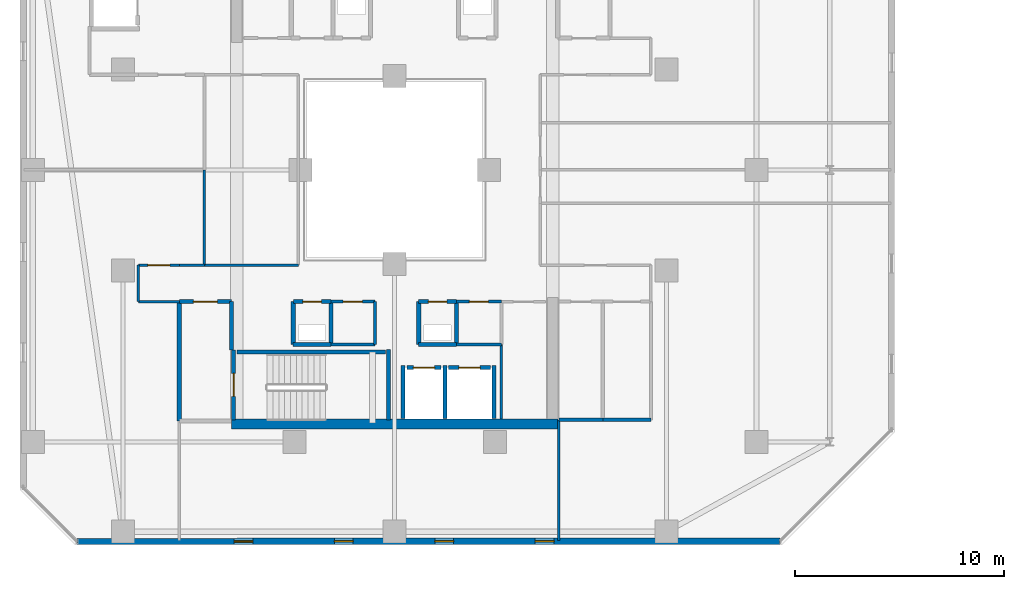
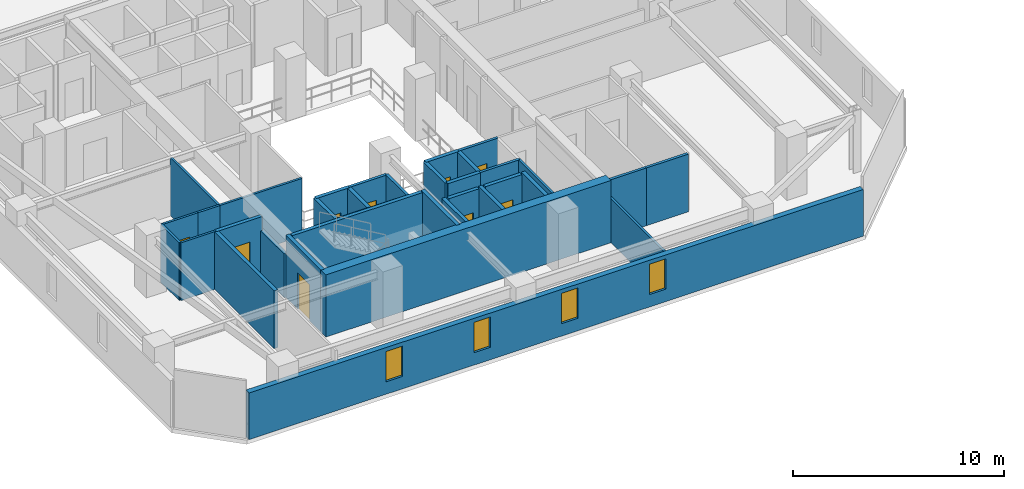
# One storey, part 19 of 33: 36 walls, 9 doors, 4 windows, 13 openings.
"""IFC4 building model written with IfcOpenShell, lengths in metres."""

from ifc_helpers import new_model, si_unit, direction, frame, frame_2d, origin, place, context, subcontext, project, spatial, rectangle, extrude, material, layer, layer_set, type_object, element, fill, save


model = new_model("IFC4")

# Units and contexts
model_context = context("Model", 3, precision=1e-05, world=origin(), true_north=direction((0.0, 1.0)))
body_context = subcontext(model_context, "Body", "Model", "MODEL_VIEW")
ifc_project = project(units=[si_unit("LENGTHUNIT", "METRE"), si_unit("AREAUNIT", "SQUARE_METRE"), si_unit("VOLUMEUNIT", "CUBIC_METRE"), si_unit("PLANEANGLEUNIT", "RADIAN"), si_unit("MASSUNIT", "GRAM", prefix="KILO")], contexts=[model_context])

# Site, building, storey
site_placement = place(None, origin())
site = spatial("IfcSite", under=ifc_project, at=site_placement, CompositionType="ELEMENT")
building_placement = place(site_placement, origin())
building = spatial("IfcBuilding", under=site, at=building_placement, Name="Thornwick Lancets Civic Towers", CompositionType="ELEMENT")
storey_placement = place(building_placement, frame((0.0, 0.0, 185.699951171875)))
storey = spatial("IfcBuildingStorey", under=building, at=storey_placement, Name="L49", CompositionType="ELEMENT", Elevation=185.699951171875)

# Wall, opening, door
ifc_material_1 = material(Name="Concrete blockwork C40/50", Category="masonry")
ifc_layer_1 = layer(ifc_material_1, 0.199951171875, Name="Concrete blockwork C40/50")
ifc_layer_set_1 = layer_set([ifc_layer_1], Name="Concrete blockwork C40/50")
wall_type_1 = type_object("IfcWallType", Name="WALL_COMP_200", PredefinedType="STANDARD", material=ifc_layer_set_1)
wall_1_placement = place(storey_placement, frame((26.080078125, 17.550048828125, 0.0), z_axis=(0.0, 0.0, 1.0), x_axis=(1.0, 0.0, 0.0)))
wall_1 = element("IfcWall", 1, at=wall_1_placement, inside=storey, type_object=wall_type_1, Name="L49 Hoistway Front Wall FL-A1", PredefinedType="STANDARD", context=body_context, shape_type="SweptSolid", body=[
    extrude(rectangle(XDim=1.639892578125, YDim=0.199951171875, at=frame_2d((0.81982421875, 0.0))), origin(), (0.0, 0.0, 1.0), 3.340087890625),
])
opening_1_placement = place(wall_1_placement, frame((0.31005859375, 0.0, 0.0)))
opening_1 = element("IfcOpeningElement", 2, at=opening_1_placement, cuts=wall_1, Name="Opening LD-FL-A1", PredefinedType="OPENING", context=body_context, shape_type="SweptSolid", body=[
    extrude(rectangle(XDim=1.02001953125, YDim=2.06005859375, at=frame_2d((0.510009765625, 1.030029296875))), frame((0.0, 0.10986328125, 0.0), z_axis=(0.0, -1.0, 0.0), x_axis=(1.0, 0.0, 0.0)), (0.0, 0.0, 1.0), 0.219970703125),
])
ifc_material_2 = material(Name="Brushed bronze stainless steel", Category="steel")
door_type_1 = type_object("IfcDoorType", Name="DOOR_LIFT_SLIDE", OperationType="SLIDING_TO_LEFT", PredefinedType="DOOR", material=ifc_material_2)
door_1_placement = place(opening_1_placement, origin())
door_1 = element("IfcDoor", 3, at=door_1_placement, inside=storey, type_object=door_type_1, Name="L49 Sliding Lift Landing Door LD-FL-A1", OperationType="SLIDING_TO_LEFT", OverallHeight=2.06005859375, OverallWidth=1.02001953125, PredefinedType="DOOR", context=body_context, shape_type="SweptSolid", body=[
    extrude(rectangle(XDim=1.02001953125, YDim=2.06005859375, at=frame_2d((0.510009765625, 1.030029296875))), frame((0.0, 0.02490234375, 0.0), z_axis=(0.0, -1.0, 0.0), x_axis=(1.0, 0.0, 0.0)), (0.0, 0.0, 1.0), 0.050048828125),
])
fill(opening_1, door_1)

wall_2_placement = place(storey_placement, frame((28.080078125, 17.550048828125, 0.0), z_axis=(0.0, 0.0, 1.0), x_axis=(1.0, 0.0, 0.0)))
wall_2 = element("IfcWall", 4, at=wall_2_placement, inside=storey, type_object=wall_type_1, Name="L49 Hoistway Front Wall PL-AH1", PredefinedType="STANDARD", context=body_context, shape_type="SweptSolid", body=[
    extrude(rectangle(XDim=1.989990234375, YDim=0.199951171875, at=frame_2d((0.9951171875, 0.0))), origin(), (0.0, 0.0, 1.0), 3.340087890625),
])
opening_2_placement = place(wall_2_placement, frame((0.485107421875, 0.0, 0.0)))
opening_2 = element("IfcOpeningElement", 5, at=opening_2_placement, cuts=wall_2, Name="Opening LD-PL-AH1", PredefinedType="OPENING", context=body_context, shape_type="SweptSolid", body=[
    extrude(rectangle(XDim=1.02001953125, YDim=2.06005859375, at=frame_2d((0.510009765625, 1.030029296875))), frame((0.0, 0.10986328125, 0.0), z_axis=(0.0, -1.0, 0.0), x_axis=(1.0, 0.0, 0.0)), (0.0, 0.0, 1.0), 0.219970703125),
])
door_2_placement = place(opening_2_placement, origin())
door_2 = element("IfcDoor", 6, at=door_2_placement, inside=storey, type_object=door_type_1, Name="L49 Sliding Lift Landing Door LD-PL-AH1", OperationType="SLIDING_TO_LEFT", OverallHeight=2.06005859375, OverallWidth=1.02001953125, PredefinedType="DOOR", context=body_context, shape_type="SweptSolid", body=[
    extrude(rectangle(XDim=1.02001953125, YDim=2.06005859375, at=frame_2d((0.510009765625, 1.030029296875))), frame((0.0, 0.02490234375, 0.0), z_axis=(0.0, -1.0, 0.0), x_axis=(1.0, 0.0, 0.0)), (0.0, 0.0, 1.0), 0.050048828125),
])
fill(opening_2, door_2)

# Walls
for number, where, z_axis, x_axis, name in (
    (7, (27.89990234375, 15.112060546875, 0.0), (0.0, 0.0, 1.0), (0.0, 1.0, 0.0), "L49 Hoistway Shaft Wall FL-A1 E"),
    (8, (25.89990234375, 15.112060546875, 0.0), (0.0, 0.0, 1.0), (0.0, 1.0, 0.0), "L49 Hoistway Shaft Wall FL-A1 W"),
    (9, (30.25, 15.112060546875, 0.0), (0.0, 0.0, 1.0), (0.0, 1.0, 0.0), "L49 Hoistway Shaft Wall PL-AH1 E"),
):
    element("IfcWall", number, at=place(storey_placement, frame(where, z_axis=z_axis, x_axis=x_axis)), inside=storey, type_object=wall_type_1, Name=name, PredefinedType="STANDARD", context=body_context, shape_type="SweptSolid", body=[
        extrude(rectangle(XDim=2.535888671875, YDim=0.199951171875, at=frame_2d((1.26806640625, 0.0))), origin(), (0.0, 0.0, 1.0), 3.340087890625),
    ])
wall_3_placement = place(storey_placement, frame((17.699951171875, 18.39990234375, 0.0), z_axis=(0.0, 0.0, 1.0), x_axis=(0.0, 1.0, 0.0)))
element("IfcWall", 10, at=wall_3_placement, inside=storey, type_object=wall_type_1, Name="L49 Partition L49-A-FFLOB1 E2", PredefinedType="STANDARD", context=body_context, shape_type="SweptSolid", body=[
    extrude(rectangle(XDim=2.300048828125, YDim=0.199951171875, at=frame_2d((1.14990234375, 0.0))), origin(), (0.0, 0.0, 1.0), 2.545166015625),
])

# Wall, opening, door
wall_4_placement = place(storey_placement, frame((17.699951171875, 20.699951171875, 0.0), z_axis=(0.0, 0.0, 1.0), x_axis=(-1.0, 0.0, 0.0)))
wall_4 = element("IfcWall", 11, at=wall_4_placement, inside=storey, type_object=wall_type_1, Name="L49 Partition L49-A-FFLOB1 E3", PredefinedType="STANDARD", context=body_context, shape_type="SweptSolid", body=[
    extrude(rectangle(XDim=2.5, YDim=0.199951171875, at=frame_2d((1.25, 0.0))), origin(), (0.0, 0.0, 1.0), 3.340087890625),
])
opening_3_placement = place(wall_4_placement, frame((0.675048828125, 0.0, 0.0)))
opening_3 = element("IfcOpeningElement", 12, at=opening_3_placement, cuts=wall_4, Name="Opening D-L49-2161", PredefinedType="OPENING", context=body_context, shape_type="SweptSolid", body=[
    extrude(rectangle(XDim=1.14990234375, YDim=2.10009765625, at=frame_2d((0.574951171875, 1.050048828125))), frame((0.0, 0.10986328125, 0.0), z_axis=(0.0, -1.0, 0.0), x_axis=(1.0, 0.0, 0.0)), (0.0, 0.0, 1.0), 0.219970703125),
])
ifc_material_3 = material(Name="Glazed fire-resisting steel", Category="steel")
door_type_2 = type_object("IfcDoorType", Name="DOOR_LOBBY_FD60", OperationType="NOTDEFINED", PredefinedType="DOOR", material=ifc_material_3)
door_3_placement = place(opening_3_placement, origin())
door_3 = element("IfcDoor", 13, at=door_3_placement, inside=storey, type_object=door_type_2, Name="L49 South Firefighting Lobby 1 Door", OperationType="SINGLE_SWING_RIGHT", OverallHeight=2.10009765625, OverallWidth=1.14990234375, PredefinedType="DOOR", context=body_context, shape_type="SweptSolid", body=[
    extrude(rectangle(XDim=1.14990234375, YDim=2.10009765625, at=frame_2d((0.574951171875, 1.050048828125))), frame((0.0, 0.02490234375, 0.0), z_axis=(0.0, -1.0, 0.0), x_axis=(1.0, 0.0, 0.0)), (0.0, 0.0, 1.0), 0.050048828125),
])
fill(opening_3, door_3)

# Walls
wall_5_placement = place(storey_placement, frame((15.199951171875, 20.699951171875, 0.0), z_axis=(0.0, 0.0, 1.0), x_axis=(0.0, -1.0, 0.0)))
element("IfcWall", 14, at=wall_5_placement, inside=storey, type_object=wall_type_1, Name="L49 Partition L49-A-FFLOB1 E4", PredefinedType="STANDARD", context=body_context, shape_type="SweptSolid", body=[
    extrude(rectangle(XDim=5.699951171875, YDim=0.199951171875, at=frame_2d((2.85009765625, 0.0))), origin(), (0.0, 0.0, 1.0), 3.340087890625),
])
wall_6_placement = place(storey_placement, frame((26.64990234375, 18.64990234375, 0.0), z_axis=(0.0, 0.0, 1.0), x_axis=(1.0, 0.0, 0.0)))
element("IfcWall", 15, at=wall_6_placement, inside=storey, type_object=wall_type_1, Name="L49 Partition L49-A-DUCT1 E1", PredefinedType="STANDARD", context=body_context, shape_type="SweptSolid", body=[
    extrude(rectangle(XDim=1.800048828125, YDim=0.199951171875, at=frame_2d((0.89990234375, 0.0))), origin(), (0.0, 0.0, 1.0), 3.340087890625),
])
wall_7_placement = place(storey_placement, frame((28.449951171875, 18.64990234375, 0.0), z_axis=(0.0, 0.0, 1.0), x_axis=(0.0, 1.0, 0.0)))
element("IfcWall", 16, at=wall_7_placement, inside=storey, type_object=wall_type_1, Name="L49 Partition L49-A-DUCT1 E2", PredefinedType="STANDARD", context=body_context, shape_type="SweptSolid", body=[
    extrude(rectangle(XDim=2.050048828125, YDim=0.199951171875, at=frame_2d((1.02490234375, 0.0))), origin(), (0.0, 0.0, 1.0), 3.340087890625),
])

# Wall, opening, door
wall_8_placement = place(storey_placement, frame((28.449951171875, 20.699951171875, 0.0), z_axis=(0.0, 0.0, 1.0), x_axis=(-1.0, 0.0, 0.0)))
wall_8 = element("IfcWall", 17, at=wall_8_placement, inside=storey, type_object=wall_type_1, Name="L49 Partition L49-A-DUCT1 E3", PredefinedType="STANDARD", context=body_context, shape_type="SweptSolid", body=[
    extrude(rectangle(XDim=1.800048828125, YDim=0.199951171875, at=frame_2d((0.89990234375, 0.0))), origin(), (0.0, 0.0, 1.0), 3.340087890625),
])
opening_4_placement = place(wall_8_placement, frame((0.4599609375, 0.0, 0.0)))
opening_4 = element("IfcOpeningElement", 18, at=opening_4_placement, cuts=wall_8, Name="Opening D-L49-2163", PredefinedType="OPENING", context=body_context, shape_type="SweptSolid", body=[
    extrude(rectangle(XDim=0.8798828125, YDim=2.0400390625, at=frame_2d((0.43994140625, 1.02001953125))), frame((0.0, 0.10986328125, 0.0), z_axis=(0.0, -1.0, 0.0), x_axis=(1.0, 0.0, 0.0)), (0.0, 0.0, 1.0), 0.219970703125),
])
ifc_material_4 = material(Name="Steel riser access doorset", Category="steel")
door_type_3 = type_object("IfcDoorType", Name="DOOR_RISER_850", OperationType="NOTDEFINED", PredefinedType="DOOR", material=ifc_material_4)
door_4_placement = place(opening_4_placement, origin())
door_4 = element("IfcDoor", 19, at=door_4_placement, inside=storey, type_object=door_type_3, Name="L49 South Service Duct 1 Door", OperationType="SINGLE_SWING_RIGHT", OverallHeight=2.0400390625, OverallWidth=0.8798828125, PredefinedType="DOOR", context=body_context, shape_type="SweptSolid", body=[
    extrude(rectangle(XDim=0.8798828125, YDim=2.0400390625, at=frame_2d((0.43994140625, 1.02001953125))), frame((0.0, 0.02490234375, 0.0), z_axis=(0.0, -1.0, 0.0), x_axis=(1.0, 0.0, 0.0)), (0.0, 0.0, 1.0), 0.050048828125),
])
fill(opening_4, door_4)

# Walls
wall_9_placement = place(storey_placement, frame((26.64990234375, 20.699951171875, 0.0), z_axis=(0.0, 0.0, 1.0), x_axis=(0.0, -1.0, 0.0)))
element("IfcWall", 20, at=wall_9_placement, inside=storey, type_object=wall_type_1, Name="L49 Partition L49-A-DUCT1 E4", PredefinedType="STANDARD", context=body_context, shape_type="SweptSolid", body=[
    extrude(rectangle(XDim=2.050048828125, YDim=0.199951171875, at=frame_2d((1.02490234375, 0.0))), origin(), (0.0, 0.0, 1.0), 3.340087890625),
])
wall_10_placement = place(storey_placement, frame((20.64990234375, 18.64990234375, 0.0), z_axis=(0.0, 0.0, 1.0), x_axis=(1.0, 0.0, 0.0)))
element("IfcWall", 21, at=wall_10_placement, inside=storey, type_object=wall_type_1, Name="L49 Partition L49-A-RISER1 E1", PredefinedType="STANDARD", context=body_context, shape_type="SweptSolid", body=[
    extrude(rectangle(XDim=1.800048828125, YDim=0.199951171875, at=frame_2d((0.89990234375, 0.0))), origin(), (0.0, 0.0, 1.0), 3.340087890625),
])
wall_11_placement = place(storey_placement, frame((22.449951171875, 18.64990234375, 0.0), z_axis=(0.0, 0.0, 1.0), x_axis=(0.0, 1.0, 0.0)))
element("IfcWall", 22, at=wall_11_placement, inside=storey, type_object=wall_type_1, Name="L49 Partition L49-A-RISER1 E2", PredefinedType="STANDARD", context=body_context, shape_type="SweptSolid", body=[
    extrude(rectangle(XDim=2.050048828125, YDim=0.199951171875, at=frame_2d((1.02490234375, 0.0))), origin(), (0.0, 0.0, 1.0), 3.340087890625),
])

# Wall, opening, door
wall_12_placement = place(storey_placement, frame((22.449951171875, 20.699951171875, 0.0), z_axis=(0.0, 0.0, 1.0), x_axis=(-1.0, 0.0, 0.0)))
wall_12 = element("IfcWall", 23, at=wall_12_placement, inside=storey, type_object=wall_type_1, Name="L49 Partition L49-A-RISER1 E3", PredefinedType="STANDARD", context=body_context, shape_type="SweptSolid", body=[
    extrude(rectangle(XDim=1.800048828125, YDim=0.199951171875, at=frame_2d((0.89990234375, 0.0))), origin(), (0.0, 0.0, 1.0), 3.340087890625),
])
opening_5_placement = place(wall_12_placement, frame((0.4599609375, 0.0, 0.0)))
opening_5 = element("IfcOpeningElement", 24, at=opening_5_placement, cuts=wall_12, Name="Opening D-L49-2164", PredefinedType="OPENING", context=body_context, shape_type="SweptSolid", body=[
    extrude(rectangle(XDim=0.8798828125, YDim=2.0400390625, at=frame_2d((0.43994140625, 1.02001953125))), frame((0.0, 0.10986328125, 0.0), z_axis=(0.0, -1.0, 0.0), x_axis=(1.0, 0.0, 0.0)), (0.0, 0.0, 1.0), 0.219970703125),
])
door_5_placement = place(opening_5_placement, origin())
door_5 = element("IfcDoor", 25, at=door_5_placement, inside=storey, type_object=door_type_3, Name="L49 South Electrical Riser 1 Door", OperationType="SINGLE_SWING_LEFT", OverallHeight=2.0400390625, OverallWidth=0.8798828125, PredefinedType="DOOR", context=body_context, shape_type="SweptSolid", body=[
    extrude(rectangle(XDim=0.8798828125, YDim=2.0400390625, at=frame_2d((0.43994140625, 1.02001953125))), frame((0.0, 0.02490234375, 0.0), z_axis=(0.0, -1.0, 0.0), x_axis=(1.0, 0.0, 0.0)), (0.0, 0.0, 1.0), 0.050048828125),
])
fill(opening_5, door_5)

# Walls
wall_13_placement = place(storey_placement, frame((20.64990234375, 20.699951171875, 0.0), z_axis=(0.0, 0.0, 1.0), x_axis=(0.0, -1.0, 0.0)))
element("IfcWall", 26, at=wall_13_placement, inside=storey, type_object=wall_type_1, Name="L49 Partition L49-A-RISER1 E4", PredefinedType="STANDARD", context=body_context, shape_type="SweptSolid", body=[
    extrude(rectangle(XDim=2.050048828125, YDim=0.199951171875, at=frame_2d((1.02490234375, 0.0))), origin(), (0.0, 0.0, 1.0), 3.340087890625),
])
ifc_material_5 = material(Name="Concrete C50/60", Category="concrete")
ifc_layer_2 = layer(ifc_material_5, 0.5, Name="Concrete C50/60")
ifc_layer_set_2 = layer_set([ifc_layer_2], Name="Concrete C50/60")
wall_type_2 = type_object("IfcWallType", Name="WALL_CORE_500", PredefinedType="SHEAR", material=ifc_layer_set_2)
wall_14_placement = place(storey_placement, frame((17.699951171875, 14.85009765625, 0.0), z_axis=(0.0, 0.0, 1.0), x_axis=(1.0, 0.0, 0.0)))
element("IfcWall", 27, at=wall_14_placement, inside=storey, type_object=wall_type_2, Name="L49 Split Core A1 Shear Wall S", PredefinedType="SHEAR", context=body_context, shape_type="SweptSolid", body=[
    extrude(rectangle(XDim=15.60009765625, YDim=0.5, at=frame_2d((7.800048828125, 0.0))), origin(), (0.0, 0.0, 1.0), 3.60009765625),
])

# Wall, openings, windows
ifc_material_6 = material(Name="Insulated russet terracotta rainscreen on concrete C40/50", Category="masonry")
ifc_layer_3 = layer(ifc_material_6, 0.300048828125, Name="Insulated russet terracotta rainscreen on concrete C40/50")
ifc_layer_set_3 = layer_set([ifc_layer_3], Name="Insulated russet terracotta rainscreen on concrete C40/50")
wall_type_3 = type_object("IfcWallType", Name="WALL_EXT_RUSSET_300", PredefinedType="STANDARD", material=ifc_layer_set_3)
wall_15_placement = place(storey_placement, frame((10.318603515625, 9.2353515625, 0.0), z_axis=(0.0, 0.0, 1.0), x_axis=(0.999999963872, 0.000268805477, 0.0)))
wall_15 = element("IfcWall", 28, at=wall_15_placement, inside=storey, type_object=wall_type_3, Name="L49 Tower A Terracotta Facade Wall E0", PredefinedType="STANDARD", context=body_context, shape_type="SweptSolid", body=[
    extrude(rectangle(XDim=33.60498046875, YDim=0.300048828125, at=frame_2d((16.802490234375, 0.0))), origin(), (0.0, 0.0, 1.0), 2.699951171875),
])
opening_6_placement = place(wall_15_placement, frame((7.5, 0.0, 0.719970703125)))
opening_6 = element("IfcOpeningElement", 29, at=opening_6_placement, cuts=wall_15, Name="Opening WL-01", PredefinedType="OPENING", context=body_context, shape_type="SweptSolid", body=[
    extrude(rectangle(XDim=0.89990234375, YDim=1.75, at=frame_2d((0.449951171875, 0.875))), frame((0.0, 0.16015625, 0.0), z_axis=(0.0, -1.0, 0.0), x_axis=(1.0, 0.0, 0.0)), (0.0, 0.0, 1.0), 0.320068359375),
])
opening_7_placement = place(wall_15_placement, frame((12.300048828125, 0.0, 0.719970703125)))
opening_7 = element("IfcOpeningElement", 30, at=opening_7_placement, cuts=wall_15, Name="Opening WL-01", PredefinedType="OPENING", context=body_context, shape_type="SweptSolid", body=[
    extrude(rectangle(XDim=0.89990234375, YDim=1.75, at=frame_2d((0.449951171875, 0.875))), frame((0.0, 0.16015625, 0.0), z_axis=(0.0, -1.0, 0.0), x_axis=(1.0, 0.0, 0.0)), (0.0, 0.0, 1.0), 0.320068359375),
])
opening_8_placement = place(wall_15_placement, frame((17.10009765625, 0.0, 0.719970703125)))
opening_8 = element("IfcOpeningElement", 31, at=opening_8_placement, cuts=wall_15, Name="Opening WL-01", PredefinedType="OPENING", context=body_context, shape_type="SweptSolid", body=[
    extrude(rectangle(XDim=0.89990234375, YDim=1.75, at=frame_2d((0.449951171875, 0.875))), frame((0.0, 0.16015625, 0.0), z_axis=(0.0, -1.0, 0.0), x_axis=(1.0, 0.0, 0.0)), (0.0, 0.0, 1.0), 0.320068359375),
])
opening_9_placement = place(wall_15_placement, frame((21.89990234375, 0.0, 0.719970703125)))
opening_9 = element("IfcOpeningElement", 32, at=opening_9_placement, cuts=wall_15, Name="Opening WL-01", PredefinedType="OPENING", context=body_context, shape_type="SweptSolid", body=[
    extrude(rectangle(XDim=0.89990234375, YDim=1.75, at=frame_2d((0.449951171875, 0.875))), frame((0.0, 0.16015625, 0.0), z_axis=(0.0, -1.0, 0.0), x_axis=(1.0, 0.0, 0.0)), (0.0, 0.0, 1.0), 0.320068359375),
])
ifc_material_7 = material(Name="Clear low-e double glazing in bronze frame", Category="glass")
window_type = type_object("IfcWindowType", Name="WIN_LANCET_900", PartitioningType="SINGLE_PANEL", PredefinedType="WINDOW", material=ifc_material_7)
window_1_placement = place(opening_6_placement, origin())
window_1 = element("IfcWindow", 33, at=window_1_placement, inside=storey, type_object=window_type, Name="L49 Tower A Staggered Lancet Window E0-1", OverallHeight=1.75, OverallWidth=0.89990234375, PartitioningType="SINGLE_PANEL", PredefinedType="WINDOW", context=body_context, shape_type="SweptSolid", body=[
    extrude(rectangle(XDim=0.89990234375, YDim=1.75, at=frame_2d((0.449951171875, 0.875))), frame((0.0, 0.030029296875, 0.0), z_axis=(0.0, -1.0, 0.0), x_axis=(1.0, 0.0, 0.0)), (0.0, 0.0, 1.0), 0.06005859375),
])
fill(opening_6, window_1)
window_2_placement = place(opening_7_placement, origin())
window_2 = element("IfcWindow", 34, at=window_2_placement, inside=storey, type_object=window_type, Name="L49 Tower A Staggered Lancet Window E0-2", OverallHeight=1.75, OverallWidth=0.89990234375, PartitioningType="SINGLE_PANEL", PredefinedType="WINDOW", context=body_context, shape_type="SweptSolid", body=[
    extrude(rectangle(XDim=0.89990234375, YDim=1.75, at=frame_2d((0.449951171875, 0.875))), frame((0.0, 0.030029296875, 0.0), z_axis=(0.0, -1.0, 0.0), x_axis=(1.0, 0.0, 0.0)), (0.0, 0.0, 1.0), 0.06005859375),
])
fill(opening_7, window_2)
window_3_placement = place(opening_8_placement, origin())
window_3 = element("IfcWindow", 35, at=window_3_placement, inside=storey, type_object=window_type, Name="L49 Tower A Staggered Lancet Window E0-3", OverallHeight=1.75, OverallWidth=0.89990234375, PartitioningType="SINGLE_PANEL", PredefinedType="WINDOW", context=body_context, shape_type="SweptSolid", body=[
    extrude(rectangle(XDim=0.89990234375, YDim=1.75, at=frame_2d((0.449951171875, 0.875))), frame((0.0, 0.030029296875, 0.0), z_axis=(0.0, -1.0, 0.0), x_axis=(1.0, 0.0, 0.0)), (0.0, 0.0, 1.0), 0.06005859375),
])
fill(opening_8, window_3)
window_4_placement = place(opening_9_placement, origin())
window_4 = element("IfcWindow", 36, at=window_4_placement, inside=storey, type_object=window_type, Name="L49 Tower A Staggered Lancet Window E0-4", OverallHeight=1.75, OverallWidth=0.89990234375, PartitioningType="SINGLE_PANEL", PredefinedType="WINDOW", context=body_context, shape_type="SweptSolid", body=[
    extrude(rectangle(XDim=0.89990234375, YDim=1.75, at=frame_2d((0.449951171875, 0.875))), frame((0.0, 0.030029296875, 0.0), z_axis=(0.0, -1.0, 0.0), x_axis=(1.0, 0.0, 0.0)), (0.0, 0.0, 1.0), 0.06005859375),
])
fill(opening_9, window_4)

# Walls
ifc_material_8 = material(Name="Acoustic gypsum board partition")
ifc_layer_4 = layer(ifc_material_8, 0.1201171875, Name="Acoustic gypsum board partition")
ifc_layer_set_4 = layer_set([ifc_layer_4], Name="Acoustic gypsum board partition")
wall_type_4 = type_object("IfcWallType", Name="WALL_PART_120", PredefinedType="PARTITIONING", material=ifc_layer_set_4)
wall_16_placement = place(storey_placement, frame((30.60009765625, 15.10009765625, 0.0), z_axis=(0.0, 0.0, 1.0), x_axis=(0.0, 1.0, 0.0)))
element("IfcWall", 37, at=wall_16_placement, inside=storey, type_object=wall_type_4, Name="L49 Partition L49-A-ITR E3", PredefinedType="PARTITIONING", context=body_context, shape_type="SweptSolid", body=[
    extrude(rectangle(XDim=3.5498046875, YDim=0.1201171875, at=frame_2d((1.77490234375, 0.0))), origin(), (0.0, 0.0, 1.0), 3.340087890625),
])
wall_17_placement = place(storey_placement, frame((16.39990234375, 27.0, 0.0), z_axis=(0.0, 0.0, 1.0), x_axis=(0.0, -1.0, 0.0)))
element("IfcWall", 38, at=wall_17_placement, inside=storey, type_object=wall_type_4, Name="L49 Partition L49-A-W1 E3", PredefinedType="PARTITIONING", context=body_context, shape_type="SweptSolid", body=[
    extrude(rectangle(XDim=4.550048828125, YDim=0.1201171875, at=frame_2d((2.27490234375, 0.0))), origin(), (0.0, 0.0, 1.0), 3.340087890625),
])
wall_18_placement = place(storey_placement, frame((16.39990234375, 22.449951171875, 0.0), z_axis=(0.0, 0.0, 1.0), x_axis=(-1.0, 0.0, 0.0)))
element("IfcWall", 39, at=wall_18_placement, inside=storey, type_object=wall_type_4, Name="L49 Partition L49-A-W1 E4", PredefinedType="PARTITIONING", context=body_context, shape_type="SweptSolid", body=[
    extrude(rectangle(XDim=1.199951171875, YDim=0.1201171875, at=frame_2d((0.60009765625, 0.0))), origin(), (0.0, 0.0, 1.0), 3.340087890625),
])

# Wall, opening, door
wall_19_placement = place(storey_placement, frame((15.199951171875, 22.449951171875, 0.0), z_axis=(0.0, 0.0, 1.0), x_axis=(-1.0, 0.0, 0.0)))
wall_19 = element("IfcWall", 40, at=wall_19_placement, inside=storey, type_object=wall_type_4, Name="L49 Partition L49-A-W1 E5", PredefinedType="PARTITIONING", context=body_context, shape_type="SweptSolid", body=[
    extrude(rectangle(XDim=1.949951171875, YDim=0.1201171875, at=frame_2d((0.97509765625, 0.0))), origin(), (0.0, 0.0, 1.0), 3.340087890625),
])
opening_10_placement = place(wall_19_placement, frame((0.449951171875, 0.0, 0.0)))
opening_10 = element("IfcOpeningElement", 41, at=opening_10_placement, cuts=wall_19, Name="Opening D-L49-2185", PredefinedType="OPENING", context=body_context, shape_type="SweptSolid", body=[
    extrude(rectangle(XDim=1.050048828125, YDim=2.10009765625, at=frame_2d((0.52490234375, 1.050048828125))), frame((0.0, 0.070068359375, 0.0), z_axis=(0.0, -1.0, 0.0), x_axis=(1.0, 0.0, 0.0)), (0.0, 0.0, 1.0), 0.14013671875),
])
ifc_material_9 = material(Name="Glazed European oak executive doorset")
door_type_4 = type_object("IfcDoorType", Name="DOOR_OFFICE_1050", OperationType="NOTDEFINED", PredefinedType="DOOR", material=ifc_material_9)
door_6_placement = place(opening_10_placement, origin())
door_6 = element("IfcDoor", 42, at=door_6_placement, inside=storey, type_object=door_type_4, Name="L49 Tower A Ministry Directorate Office W1 Door", OperationType="SINGLE_SWING_RIGHT", OverallHeight=2.10009765625, OverallWidth=1.050048828125, PredefinedType="DOOR", context=body_context, shape_type="SweptSolid", body=[
    extrude(rectangle(XDim=1.050048828125, YDim=2.10009765625, at=frame_2d((0.52490234375, 1.050048828125))), frame((0.0, 0.02490234375, 0.0), z_axis=(0.0, -1.0, 0.0), x_axis=(1.0, 0.0, 0.0)), (0.0, 0.0, 1.0), 0.050048828125),
])
fill(opening_10, door_6)

# Walls
wall_20_placement = place(storey_placement, frame((13.25, 22.449951171875, 0.0), z_axis=(0.0, 0.0, 1.0), x_axis=(0.0, -1.0, 0.0)))
element("IfcWall", 43, at=wall_20_placement, inside=storey, type_object=wall_type_4, Name="L49 Partition L49-A-W1 E6", PredefinedType="PARTITIONING", context=body_context, shape_type="SweptSolid", body=[
    extrude(rectangle(XDim=1.75, YDim=0.1201171875, at=frame_2d((0.875, 0.0))), origin(), (0.0, 0.0, 1.0), 3.340087890625),
])
wall_21_placement = place(storey_placement, frame((13.25, 20.699951171875, 0.0), z_axis=(0.0, 0.0, 1.0), x_axis=(1.0, 0.0, 0.0)))
element("IfcWall", 44, at=wall_21_placement, inside=storey, type_object=wall_type_4, Name="L49 Partition L49-A-W1 E7", PredefinedType="PARTITIONING", context=body_context, shape_type="SweptSolid", body=[
    extrude(rectangle(XDim=1.949951171875, YDim=0.1201171875, at=frame_2d((0.97509765625, 0.0))), origin(), (0.0, 0.0, 1.0), 3.340087890625),
])
wall_22_placement = place(storey_placement, frame((20.89990234375, 22.449951171875, 0.0), z_axis=(0.0, 0.0, 1.0), x_axis=(-1.0, 0.0, 0.0)))
element("IfcWall", 45, at=wall_22_placement, inside=storey, type_object=wall_type_4, Name="L49 Partition L49-A-W3 E5", PredefinedType="PARTITIONING", context=body_context, shape_type="SweptSolid", body=[
    extrude(rectangle(XDim=4.5, YDim=0.1201171875, at=frame_2d((2.25, 0.0))), origin(), (0.0, 0.0, 1.0), 3.340087890625),
])
wall_23_placement = place(storey_placement, frame((33.35009765625, 9.280029296875, 0.0), z_axis=(0.0, 0.0, 1.0), x_axis=(0.0, 1.0, 0.0)))
element("IfcWall", 46, at=wall_23_placement, inside=storey, type_object=wall_type_4, Name="L49 Partition L49-A-E1 E11", PredefinedType="PARTITIONING", context=body_context, shape_type="SweptSolid", body=[
    extrude(rectangle(XDim=5.77001953125, YDim=0.1201171875, at=frame_2d((2.885009765625, 0.0))), origin(), (0.0, 0.0, 1.0), 2.545166015625),
])
ifc_material_10 = material(Name="Twin-stud acoustic gypsum board")
ifc_layer_5 = layer(ifc_material_10, 0.14990234375, Name="Twin-stud acoustic gypsum board")
ifc_layer_set_5 = layer_set([ifc_layer_5], Name="Twin-stud acoustic gypsum board")
wall_type_5 = type_object("IfcWallType", Name="WALL_PART_150", PredefinedType="PARTITIONING", material=ifc_layer_set_5)
wall_24_placement = place(storey_placement, frame((24.550048828125, 20.699951171875, 0.0), z_axis=(0.0, 0.0, 1.0), x_axis=(0.0, -1.0, 0.0)))
element("IfcWall", 47, at=wall_24_placement, inside=storey, type_object=wall_type_5, Name="L49 Partition L49-A-MWC E1", PredefinedType="PARTITIONING", context=body_context, shape_type="SweptSolid", body=[
    extrude(rectangle(XDim=2.050048828125, YDim=0.14990234375, at=frame_2d((1.02490234375, 0.0))), origin(), (0.0, 0.0, 1.0), 3.340087890625),
])
wall_25_placement = place(storey_placement, frame((24.550048828125, 18.64990234375, 0.0), z_axis=(0.0, 0.0, 1.0), x_axis=(-1.0, 0.0, 0.0)))
element("IfcWall", 48, at=wall_25_placement, inside=storey, type_object=wall_type_5, Name="L49 Partition L49-A-MWC E2", PredefinedType="PARTITIONING", context=body_context, shape_type="SweptSolid", body=[
    extrude(rectangle(XDim=2.10009765625, YDim=0.14990234375, at=frame_2d((1.050048828125, 0.0))), origin(), (0.0, 0.0, 1.0), 3.340087890625),
])

# Wall, opening, door
wall_26_placement = place(storey_placement, frame((22.449951171875, 20.699951171875, 0.0), z_axis=(0.0, 0.0, 1.0), x_axis=(1.0, 0.0, 0.0)))
wall_26 = element("IfcWall", 49, at=wall_26_placement, inside=storey, type_object=wall_type_5, Name="L49 Partition L49-A-MWC E4", PredefinedType="PARTITIONING", context=body_context, shape_type="SweptSolid", body=[
    extrude(rectangle(XDim=2.10009765625, YDim=0.14990234375, at=frame_2d((1.050048828125, 0.0))), origin(), (0.0, 0.0, 1.0), 3.340087890625),
])
opening_11_placement = place(wall_26_placement, frame((0.590087890625, 0.0, 0.0)))
opening_11 = element("IfcOpeningElement", 50, at=opening_11_placement, cuts=wall_26, Name="Opening D-L49-2167", PredefinedType="OPENING", context=body_context, shape_type="SweptSolid", body=[
    extrude(rectangle(XDim=0.919921875, YDim=2.080078125, at=frame_2d((0.4599609375, 1.0400390625))), frame((0.0, 0.0849609375, 0.0), z_axis=(0.0, -1.0, 0.0), x_axis=(1.0, 0.0, 0.0)), (0.0, 0.0, 1.0), 0.169921875),
])
ifc_material_11 = material(Name="Moisture-resistant oak doorset")
door_type_5 = type_object("IfcDoorType", Name="DOOR_WC_900", OperationType="NOTDEFINED", PredefinedType="DOOR", material=ifc_material_11)
door_7_placement = place(opening_11_placement, origin())
door_7 = element("IfcDoor", 51, at=door_7_placement, inside=storey, type_object=door_type_5, Name="L49 Tower A Male WC Door", OperationType="SINGLE_SWING_RIGHT", OverallHeight=2.080078125, OverallWidth=0.919921875, PredefinedType="DOOR", context=body_context, shape_type="SweptSolid", body=[
    extrude(rectangle(XDim=0.919921875, YDim=2.080078125, at=frame_2d((0.4599609375, 1.0400390625))), frame((0.0, 0.02490234375, 0.0), z_axis=(0.0, -1.0, 0.0), x_axis=(1.0, 0.0, 0.0)), (0.0, 0.0, 1.0), 0.050048828125),
])
fill(opening_11, door_7)

# Wall
wall_27_placement = place(storey_placement, frame((30.60009765625, 18.64990234375, 0.0), z_axis=(0.0, 0.0, 1.0), x_axis=(-1.0, 0.0, 0.0)))
element("IfcWall", 52, at=wall_27_placement, inside=storey, type_object=wall_type_5, Name="L49 Partition L49-A-FWC E2", PredefinedType="PARTITIONING", context=body_context, shape_type="SweptSolid", body=[
    extrude(rectangle(XDim=2.150146484375, YDim=0.14990234375, at=frame_2d((1.0751953125, 0.0))), origin(), (0.0, 0.0, 1.0), 3.340087890625),
])

# Wall, opening, door
wall_28_placement = place(storey_placement, frame((28.449951171875, 20.699951171875, 0.0), z_axis=(0.0, 0.0, 1.0), x_axis=(1.0, 0.0, 0.0)))
wall_28 = element("IfcWall", 53, at=wall_28_placement, inside=storey, type_object=wall_type_5, Name="L49 Partition L49-A-FWC E4", PredefinedType="PARTITIONING", context=body_context, shape_type="SweptSolid", body=[
    extrude(rectangle(XDim=2.150146484375, YDim=0.14990234375, at=frame_2d((1.0751953125, 0.0))), origin(), (0.0, 0.0, 1.0), 3.340087890625),
])
opening_12_placement = place(wall_28_placement, frame((0.614990234375, 0.0, 0.0)))
opening_12 = element("IfcOpeningElement", 54, at=opening_12_placement, cuts=wall_28, Name="Opening D-L49-2168", PredefinedType="OPENING", context=body_context, shape_type="SweptSolid", body=[
    extrude(rectangle(XDim=0.919921875, YDim=2.080078125, at=frame_2d((0.4599609375, 1.0400390625))), frame((0.0, 0.0849609375, 0.0), z_axis=(0.0, -1.0, 0.0), x_axis=(1.0, 0.0, 0.0)), (0.0, 0.0, 1.0), 0.169921875),
])
door_8_placement = place(opening_12_placement, origin())
door_8 = element("IfcDoor", 55, at=door_8_placement, inside=storey, type_object=door_type_5, Name="L49 Tower A Female WC Door", OperationType="SINGLE_SWING_LEFT", OverallHeight=2.080078125, OverallWidth=0.919921875, PredefinedType="DOOR", context=body_context, shape_type="SweptSolid", body=[
    extrude(rectangle(XDim=0.919921875, YDim=2.080078125, at=frame_2d((0.4599609375, 1.0400390625))), frame((0.0, 0.02490234375, 0.0), z_axis=(0.0, -1.0, 0.0), x_axis=(1.0, 0.0, 0.0)), (0.0, 0.0, 1.0), 0.050048828125),
])
fill(opening_12, door_8)

# Walls
wall_29_placement = place(storey_placement, frame((35.449951171875, 15.050048828125, 0.0), z_axis=(0.0, 0.0, 1.0), x_axis=(-1.0, 0.0, 0.0)))
element("IfcWall", 56, at=wall_29_placement, inside=storey, type_object=wall_type_5, Name="L49 Partition L49-A-RECLAIM-L1 E1", PredefinedType="PARTITIONING", context=body_context, shape_type="SweptSolid", body=[
    extrude(rectangle(XDim=2.099853515625, YDim=0.14990234375, at=frame_2d((1.0498046875, 0.0))), origin(), (0.0, 0.0, 1.0), 3.340087890625),
])
wall_30_placement = place(storey_placement, frame((37.75, 15.050048828125, 0.0), z_axis=(0.0, 0.0, 1.0), x_axis=(-1.0, 0.0, 0.0)))
element("IfcWall", 57, at=wall_30_placement, inside=storey, type_object=wall_type_5, Name="L49 Partition L49-A-RECLAIM-L2 E1", PredefinedType="PARTITIONING", context=body_context, shape_type="SweptSolid", body=[
    extrude(rectangle(XDim=2.300048828125, YDim=0.14990234375, at=frame_2d((1.14990234375, 0.0))), origin(), (0.0, 0.0, 1.0), 3.340087890625),
])

# Wall, opening, door
ifc_material_12 = material(Name="Concrete C40/50", Category="concrete")
ifc_layer_6 = layer(ifc_material_12, 0.199951171875, Name="Concrete C40/50")
ifc_layer_set_6 = layer_set([ifc_layer_6], Name="Concrete C40/50")
wall_type_6 = type_object("IfcWallType", Name="WALL_SHAFT_200", PredefinedType="SHEAR", material=ifc_layer_set_6)
wall_31_placement = place(storey_placement, frame((17.800048828125, 15.050048828125, 0.0), z_axis=(0.0, 0.0, 1.0), x_axis=(0.0, 1.0, 0.0)))
wall_31 = element("IfcWall", 58, at=wall_31_placement, inside=storey, type_object=wall_type_6, Name="L49 ST-A1 Fire Stair Core Wall NEAR", PredefinedType="SHEAR", context=body_context, shape_type="SweptSolid", body=[
    extrude(rectangle(XDim=3.349853515625, YDim=0.199951171875, at=frame_2d((1.6748046875, 0.0))), origin(), (0.0, 0.0, 1.0), 3.60009765625),
])
opening_13_placement = place(wall_31_placement, frame((1.125, 0.0, 0.0)))
opening_13 = element("IfcOpeningElement", 59, at=opening_13_placement, cuts=wall_31, Name="Opening D-ST-A1-L49", PredefinedType="OPENING", context=body_context, shape_type="SweptSolid", body=[
    extrude(rectangle(XDim=1.10009765625, YDim=2.10009765625, at=frame_2d((0.550048828125, 1.050048828125))), frame((0.0, 0.10986328125, 0.0), z_axis=(0.0, -1.0, 0.0), x_axis=(1.0, 0.0, 0.0)), (0.0, 0.0, 1.0), 0.219970703125),
])
ifc_material_13 = material(Name="Fire-resisting steel and hardwood", Category="steel")
door_type_6 = type_object("IfcDoorType", Name="DOOR_STAIR_FD60", OperationType="NOTDEFINED", PredefinedType="DOOR", material=ifc_material_13)
door_9_placement = place(opening_13_placement, origin())
door_9 = element("IfcDoor", 60, at=door_9_placement, inside=storey, type_object=door_type_6, Name="L49 ST-A1 Exit Stair Door", OperationType="SINGLE_SWING_RIGHT", OverallHeight=2.10009765625, OverallWidth=1.10009765625, PredefinedType="DOOR", context=body_context, shape_type="SweptSolid", body=[
    extrude(rectangle(XDim=1.10009765625, YDim=2.10009765625, at=frame_2d((0.550048828125, 1.050048828125))), frame((0.0, 0.02490234375, 0.0), z_axis=(0.0, -1.0, 0.0), x_axis=(1.0, 0.0, 0.0)), (0.0, 0.0, 1.0), 0.050048828125),
])
fill(opening_13, door_9)

# Walls
wall_32_placement = place(storey_placement, frame((25.199951171875, 18.39990234375, 0.0), z_axis=(0.0, 0.0, 1.0), x_axis=(0.0, -1.0, 0.0)))
element("IfcWall", 61, at=wall_32_placement, inside=storey, type_object=wall_type_6, Name="L49 ST-A1 Fire Stair Core Wall FAR", PredefinedType="SHEAR", context=body_context, shape_type="SweptSolid", body=[
    extrude(rectangle(XDim=3.349853515625, YDim=0.199951171875, at=frame_2d((1.6748046875, 0.0))), origin(), (0.0, 0.0, 1.0), 3.60009765625),
])
wall_33_placement = place(storey_placement, frame((25.050048828125, 18.297119140625, 0.0), z_axis=(0.0, 0.0, 1.0), x_axis=(-1.0, 0.0, 0.0)))
element("IfcWall", 62, at=wall_33_placement, inside=storey, type_object=wall_type_6, Name="L49 ST-A1 Fire Stair Core Wall RIGHT", PredefinedType="SHEAR", context=body_context, shape_type="SweptSolid", body=[
    extrude(rectangle(XDim=7.10009765625, YDim=0.199951171875, at=frame_2d((3.550048828125, 0.0))), origin(), (0.0, 0.0, 1.0), 3.60009765625),
])

save(model, "model.ifc")
